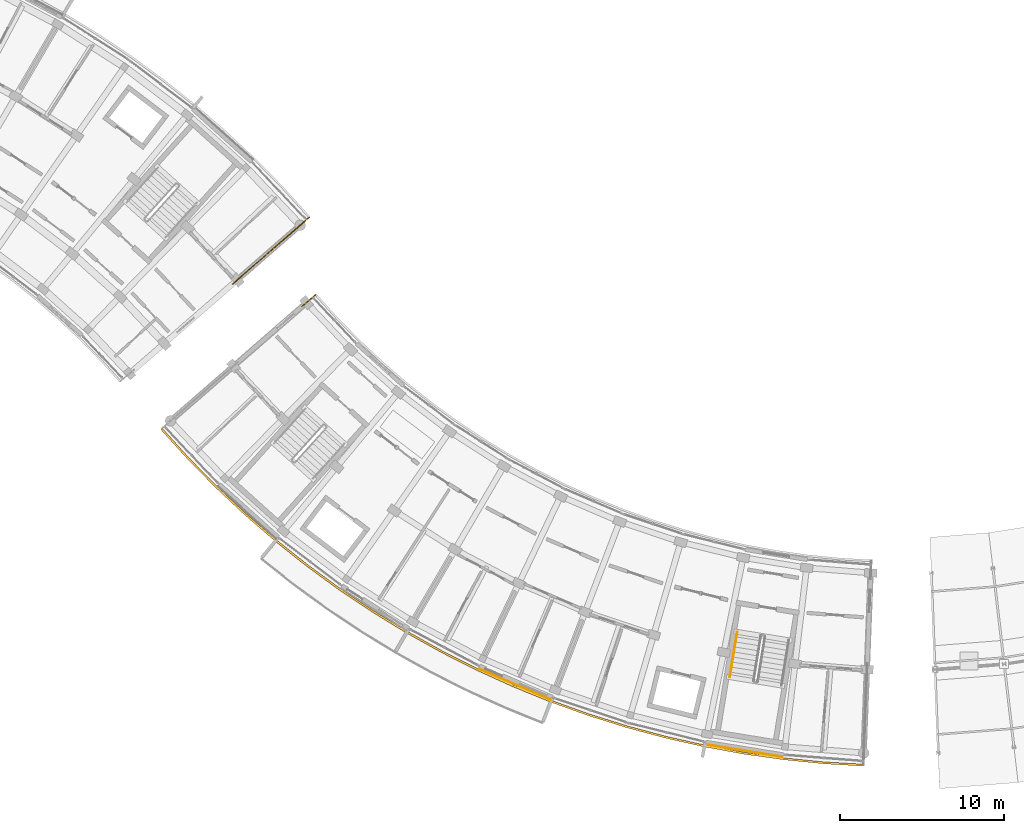
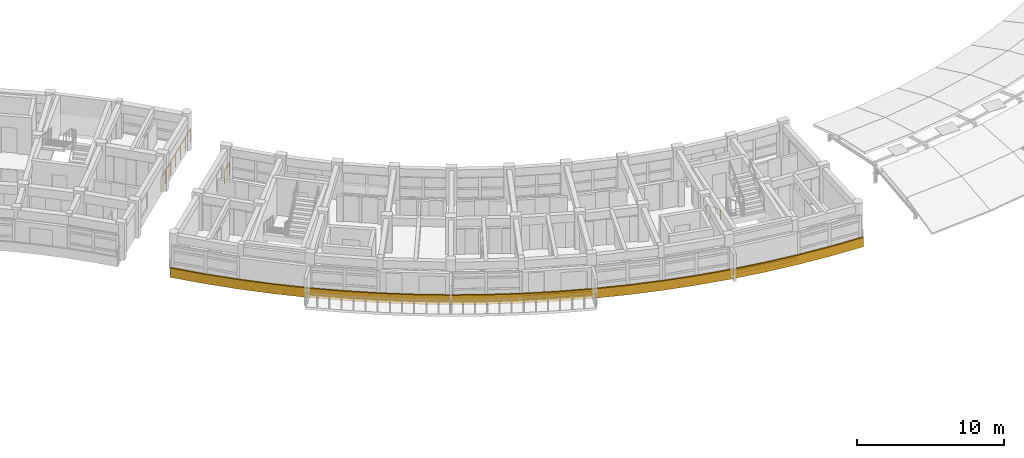
# One storey, part 45 of 50: 4 railings, 2 coverings.
"""IFC4 building model written with IfcOpenShell, lengths in metres."""

from ifc_helpers import new_model, si_unit, direction, frame, origin, origin_2d, place, context, subcontext, project, spatial, polyline, rectangle, circle, outline, extrude, material, layer, layer_set, type_object, element, save


model = new_model("IFC4")

# Units and contexts
model_context = context("Model", 3, precision=1e-05, world=origin(), true_north=direction((0.0, 1.0)))
body_context = subcontext(model_context, "Body", "Model", "MODEL_VIEW")
ifc_project = project(units=[si_unit("LENGTHUNIT", "METRE"), si_unit("AREAUNIT", "SQUARE_METRE"), si_unit("VOLUMEUNIT", "CUBIC_METRE"), si_unit("PLANEANGLEUNIT", "RADIAN"), si_unit("MASSUNIT", "GRAM", prefix="KILO")], contexts=[model_context])

# Site, building, storey
site_placement = place(None, origin())
site = spatial("IfcSite", under=ifc_project, at=site_placement, CompositionType="ELEMENT")
building_placement = place(site_placement, origin())
building = spatial("IfcBuilding", under=site, at=building_placement, Name="Zimvara Arc Housing Community", CompositionType="ELEMENT")
storey_placement = place(building_placement, frame((0.0, 0.0, 26.699951171875)))
storey = spatial("IfcBuildingStorey", under=building, at=storey_placement, Name="L08", CompositionType="ELEMENT", Elevation=26.699951171875)

# Coverings
ifc_material_1 = material(Name="Pale-Gold Anodised Aluminium Cladding", Category="aluminium")
ifc_layer_1 = layer(ifc_material_1, 0.0400390625)
ifc_layer_set_1 = layer_set([ifc_layer_1], Name="Pale-Gold Anodised Aluminium Cladding")
covering_type_1 = type_object("IfcCoveringType", Name="CLD-GOLD-01", PredefinedType="CLADDING", material=ifc_layer_set_1)
covering_1_placement = place(storey_placement, frame((116.45166015625, 51.159912109375, 0.01025390625), z_axis=(0.0, 0.0, 1.0), x_axis=(0.987080395872, -0.160225753504, 0.0)))
element("IfcCovering", 1, at=covering_1_placement, inside=storey, type_object=covering_type_1, Name="cld:blkC:L08:out:b8", PredefinedType="CLADDING", context=body_context, shape_type="SweptSolid", body=[
    extrude(rectangle(XDim=4.748779296875, YDim=0.0400390625, at=origin_2d()), origin(), (0.0, 0.0, 1.0), 0.300048828125),
])
ifc_material_2 = material(Name="Pale-Gold Anodised Aluminium Cladding", Category="aluminium")
ifc_layer_2 = layer(ifc_material_2, 0.044921875)
ifc_layer_set_2 = layer_set([ifc_layer_2], Name="Pale-Gold Anodised Aluminium Cladding")
covering_type_2 = type_object("IfcCoveringType", Name="CLD-GOLD-02", PredefinedType="CLADDING", material=ifc_layer_set_2)
covering_2_placement = place(storey_placement, frame((102.486328125, 55.203369140625, 0.01025390625), z_axis=(0.0, 0.0, 1.0), x_axis=(0.918721611116, -0.394905813161, 0.0)))
element("IfcCovering", 2, at=covering_2_placement, inside=storey, type_object=covering_type_2, Name="cld:blkC:L08:out:b5", PredefinedType="CLADDING", context=body_context, shape_type="SweptSolid", body=[
    extrude(rectangle(XDim=4.748779296875, YDim=0.044921875, at=origin_2d()), origin(), (0.0, 0.0, 1.0), 0.300048828125),
])

# Railings
ifc_material_3 = material(Name="Anodised Aluminium AW-6063", Category="aluminium")
railing_type_1 = type_object("IfcRailingType", Name="RLG-BAL-1150", PredefinedType="BALUSTRADE", material=ifc_material_3)
railing_1_placement = place(storey_placement, frame((85.331787109375, 79.559814453125, 0.0)))
element("IfcRailing", 3, at=railing_1_placement, inside=storey, type_object=railing_type_1, Name="rlg:blkB:L08:gable_out:gN", PredefinedType="BALUSTRADE", context=body_context, shape_type="SweptSolid", body=[
    extrude(circle(Radius=0.02392578125, at=origin_2d()), frame((0.0, 0.0, 1.1259765625), z_axis=(0.754708757217, 0.656059975749, 0.0), x_axis=(-0.656059975749, 0.754708757217, 0.0)), (0.0, 0.0, 1.0), 6.159912109375),
    extrude(circle(Radius=0.02099609375, at=origin_2d()), origin(), (0.0, 0.0, 1.0), 1.101806640625),
    extrude(circle(Radius=0.02099609375, at=origin_2d()), frame((0.77490234375, 0.673583984375, 0.0)), (0.0, 0.0, 1.0), 1.101806640625),
    extrude(circle(Radius=0.02099609375, at=origin_2d()), frame((1.549560546875, 1.34716796875, 0.0)), (0.0, 0.0, 1.0), 1.101806640625),
    extrude(circle(Radius=0.02099609375, at=origin_2d()), frame((2.324462890625, 2.0205078125, 0.0)), (0.0, 0.0, 1.0), 1.101806640625),
    extrude(circle(Radius=0.02099609375, at=origin_2d()), frame((3.099365234375, 2.694091796875, 0.0)), (0.0, 0.0, 1.0), 1.101806640625),
    extrude(circle(Radius=0.02099609375, at=origin_2d()), frame((3.8740234375, 3.36767578125, 0.0)), (0.0, 0.0, 1.0), 1.101806640625),
    extrude(circle(Radius=0.02099609375, at=origin_2d()), frame((4.64892578125, 4.041259765625, 0.0)), (0.0, 0.0, 1.0), 1.101806640625),
])
railing_2_placement = place(storey_placement, frame((90.357666015625, 78.89404296875, 0.0)))
element("IfcRailing", 4, at=railing_2_placement, inside=storey, type_object=railing_type_1, Name="rlg:blkC:L08:gable_in:g0", PredefinedType="BALUSTRADE", context=body_context, shape_type="SweptSolid", body=[
    extrude(circle(Radius=0.02392578125, at=origin_2d()), frame((0.0, 0.0, 1.1259765625), z_axis=(-0.754673660142, -0.656100348032, 0.0), x_axis=(0.656100348032, -0.754673660142, 0.0)), (0.0, 0.0, 1.0), 1.079833984375),
    extrude(circle(Radius=0.02099609375, at=origin_2d()), origin(), (0.0, 0.0, 1.0), 1.101806640625),
    extrude(circle(Radius=0.02099609375, at=origin_2d()), frame((-0.81494140625, -0.70849609375, 0.0)), (0.0, 0.0, 1.0), 1.101806640625),
])
ifc_material_4 = material(Name="Pale-Gold Anodised Aluminium AW-6063", Category="aluminium")
railing_type_2 = type_object("IfcRailingType", Name="RLG-FAS-780", PredefinedType="BALUSTRADE", material=ifc_material_4)
railing_3_placement = place(storey_placement, frame((0.0, 0.0, -0.219970703125)))
element("IfcRailing", 5, at=railing_3_placement, inside=storey, type_object=railing_type_2, Name="rlg:blkC:L08:gold_out", PredefinedType="BALUSTRADE", context=body_context, shape_type="SweptSolid", body=[
    extrude(outline(polyline([(80.93896484375, 70.706298828125), (82.5751953125, 68.900146484375), (84.28369140625, 67.162109375), (86.061767578125, 65.4951171875), (87.906494140625, 63.90234375), (89.814697265625, 62.38623046875), (91.783203125, 60.94921875), (93.80859375, 59.59375), (95.8876953125, 58.322021484375), (98.01708984375, 57.136474609375), (100.193115234375, 56.03857421875), (102.412109375, 55.03076171875), (104.67041015625, 54.114013671875), (106.96435546875, 53.29052734375), (109.289794921875, 52.561279296875), (111.643310546875, 51.927734375), (114.0205078125, 51.390625), (116.417724609375, 50.950927734375), (118.830810546875, 50.60986328125), (121.256103515625, 50.3671875), (123.68896484375, 50.223876953125), (123.693603515625, 50.343994140625), (121.265625, 50.48681640625), (118.84521484375, 50.728759765625), (116.43701171875, 51.069580078125), (114.04443359375, 51.508056640625), (111.672119140625, 52.044189453125), (109.3232421875, 52.676513671875), (107.00244140625, 53.404296875), (104.71337890625, 54.226318359375), (102.45947265625, 55.140869140625), (100.244873046875, 56.14697265625), (98.0732421875, 57.242431640625), (95.9482421875, 58.42578125), (93.873291015625, 59.69482421875), (91.851806640625, 61.04736328125), (89.887451171875, 62.481689453125), (87.98291015625, 63.99462890625), (86.14208984375, 65.58447265625), (84.367431640625, 67.247802734375), (82.662353515625, 68.982421875), (81.029541015625, 70.78515625), (80.93896484375, 70.706298828125)])), origin(), (0.0, 0.0, 1.0), 0.780029296875),
])
ifc_material_5 = material(Name="Anodised Aluminium AW-6063", Category="aluminium")
railing_type_3 = type_object("IfcRailingType", Name="RLG-HND-900", PredefinedType="HANDRAIL", material=ifc_material_5)
railing_4_placement = place(storey_placement, frame((116.0146484375, 58.391845703125, 0.155029296875)))
element("IfcRailing", 6, at=railing_4_placement, inside=storey, type_object=railing_type_3, Name="L08 ST-C2 stair handrail 1", PredefinedType="HANDRAIL", context=body_context, shape_type="SweptSolid", body=[
    extrude(circle(Radius=0.02392578125, at=origin_2d()), frame((0.0, 0.0, 0.8759765625), z_axis=(-0.143299288836, -0.882883275458, 0.447193957625), x_axis=(0.987082674257, -0.160211716742, 0.0)), (0.0, 0.0, 1.0), 3.119384765625),
    extrude(circle(Radius=0.02099609375, at=origin_2d()), origin(), (0.0, 0.0, 1.0), 0.851806640625),
    extrude(circle(Radius=0.02099609375, at=origin_2d()), frame((-0.14892578125, -0.91796875, 0.465087890625)), (0.0, 0.0, 1.0), 0.851806640625),
    extrude(circle(Radius=0.02099609375, at=origin_2d()), frame((-0.298095703125, -1.836181640625, 0.929931640625)), (0.0, 0.0, 1.0), 0.851806640625),
    extrude(circle(Radius=0.02099609375, at=origin_2d()), frame((-0.447021484375, -2.754150390625, 1.39501953125)), (0.0, 0.0, 1.0), 0.851806640625),
])

save(model, "model.ifc")
